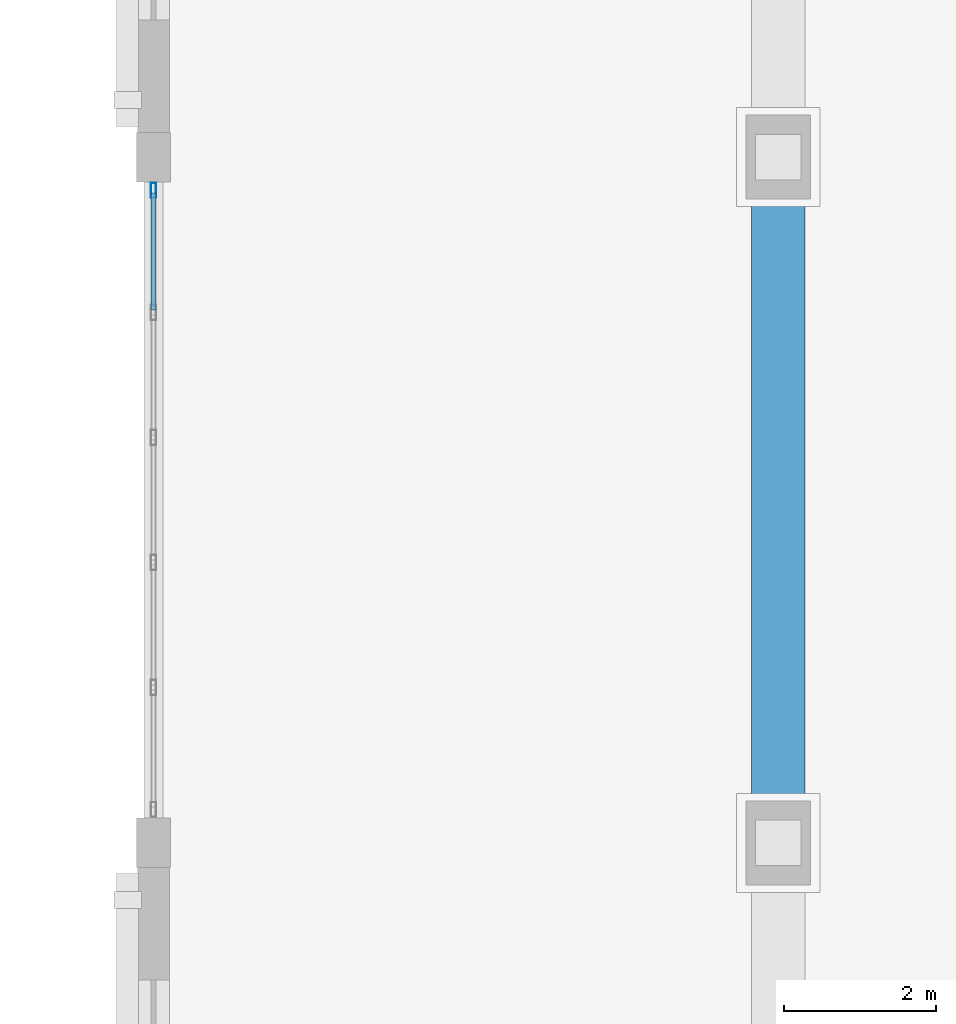
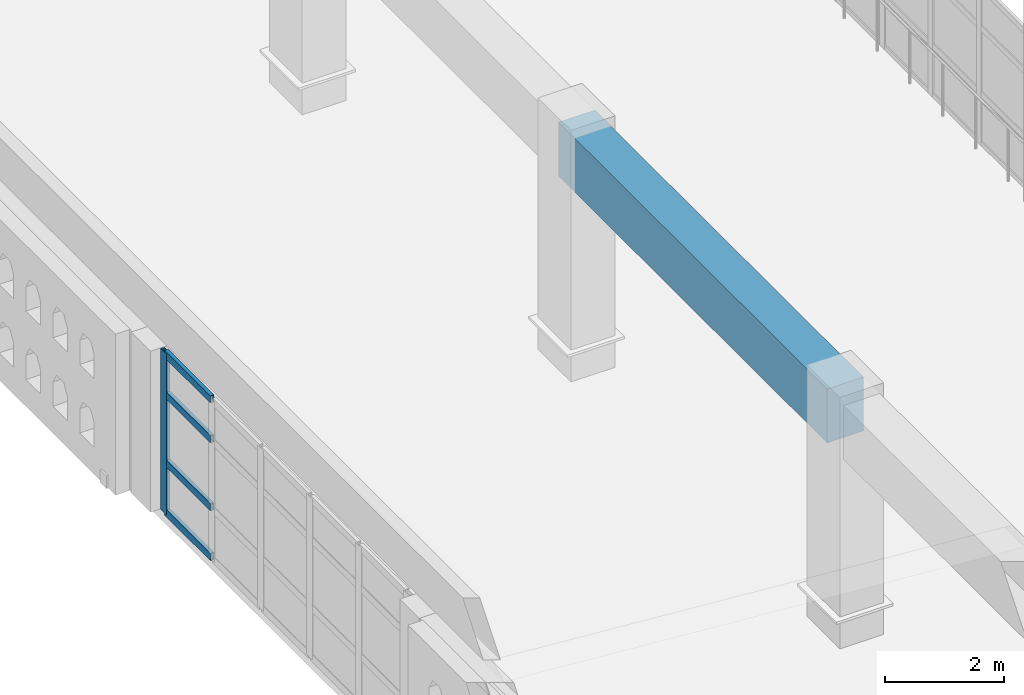
# One storey, part 4 of 80: 5 members, 1 beam, 1 element without a shape of its own.
"""IFC4 building model written with IfcOpenShell, lengths in metres."""

from ifc_helpers import new_model, si_unit, direction, frame, origin, origin_2d, place, context, subcontext, project, spatial, rectangle, hollow_rectangle, extrude, material, layer, layer_set, material_profile, profile_set, type_object, element, aggregate, save


model = new_model("IFC4")

# Units and contexts
model_context = context("Model", 3, precision=1e-05, world=origin(), true_north=direction((0.0, 1.0)))
body_context = subcontext(model_context, "Body", "Model", "MODEL_VIEW")
ifc_project = project(units=[si_unit("LENGTHUNIT", "METRE"), si_unit("AREAUNIT", "SQUARE_METRE"), si_unit("VOLUMEUNIT", "CUBIC_METRE"), si_unit("PLANEANGLEUNIT", "RADIAN"), si_unit("MASSUNIT", "GRAM", prefix="KILO")], contexts=[model_context])

# Site, building, storey
site_placement = place(None, origin())
site = spatial("IfcSite", under=ifc_project, at=site_placement, CompositionType="ELEMENT")
building_placement = place(site_placement, origin())
building = spatial("IfcBuilding", under=site, at=building_placement, Name="Ornek Quay Market", CompositionType="ELEMENT")
storey_placement = place(building_placement, frame((0.0, 0.0, 8.39990234375)))
storey = spatial("IfcBuildingStorey", under=building, at=storey_placement, Name="L02", CompositionType="ELEMENT", Elevation=8.39990234375)

# Beam
ifc_material_1 = material(Name="Concrete C45/55", Category="concrete")
ifc_material_profile_1 = material_profile(ifc_material_1, rectangle(XDim=0.699951171875, YDim=1.10009765625, at=origin_2d()), Name="RC 700x1100", Category="concrete")
ifc_profile_set_1 = profile_set([ifc_material_profile_1], Name="Concrete C45/55")
beam_type = type_object("IfcBeamType", Name="BM-ARCH-TIE-700x1100", PredefinedType="BEAM", material=ifc_profile_set_1)
beam_placement = place(storey_placement, frame((63.0, 38.0, 4.400146484375), z_axis=(0.0, 1.0, 0.0), x_axis=(-1.0, 0.0, 0.0)))
element("IfcBeam", 1, at=beam_placement, inside=storey, type_object=beam_type, Name="Arch springing edge tie beam E-W", PredefinedType="BEAM", context=body_context, shape_type="SweptSolid", body=[
    extrude(rectangle(XDim=0.699951171875, YDim=1.10009765625, at=origin_2d()), origin(), (0.0, 0.0, 1.0), 9.0),
])

# Curtain wall, members
ifc_material_2 = material(Name="Anodised bronze aluminium and triple low-e glass", Category="aluminium")
ifc_layer = layer(ifc_material_2, 0.239990234375, Name="Anodised bronze aluminium and triple low-e glass", Category="aluminium")
ifc_layer_set = layer_set([ifc_layer], Name="Anodised bronze aluminium and triple low-e glass")
curtain_wall_type = type_object("IfcCurtainWallType", Name="CW-GAB-MOD1800", PredefinedType="USERDEFINED", material=ifc_layer_set)
curtain_wall_placement = place(storey_placement, origin())
curtain_wall = element("IfcCurtainWall", 2, at=curtain_wall_placement, inside=storey, type_object=curtain_wall_type, Name="Curtain wall CW-057", ObjectType="CURTAIN WALL", PredefinedType="USERDEFINED")
ifc_material_3 = material(Name="Anodised aluminium 6063-T6", Category="aluminium")
ifc_material_profile_2 = material_profile(ifc_material_3, hollow_rectangle(XDim=0.070068359375, YDim=0.199951171875, WallThickness=0.0048828125, at=origin_2d()), Name="CW-MUL-70x200", Category="aluminium")
ifc_profile_set_2 = profile_set([ifc_material_profile_2], Name="Anodised aluminium 6063-T6")
member_type_1 = type_object("IfcMemberType", Name="CW-MUL-70x200", PredefinedType="MULLION", material=ifc_profile_set_2)
member_1_placement = place(storey_placement, frame((54.800048828125, 46.56494140625, 0.0), z_axis=(0.0, 0.0, 1.0), x_axis=(-1.0, 0.0, 0.0)))
member_1 = element("IfcMember", 3, at=member_1_placement, type_object=member_type_1, Name="CW-057 mullion 6", PredefinedType="MULLION", context=body_context, shape_type="SweptSolid", body=[
    extrude(hollow_rectangle(XDim=0.070068359375, YDim=0.199951171875, WallThickness=0.0048828125, at=origin_2d()), origin(), (0.0, 0.0, 1.0), 3.2900390625),
])
ifc_material_profile_3 = material_profile(ifc_material_3, hollow_rectangle(XDim=0.070068359375, YDim=0.14990234375, WallThickness=0.0048828125, at=origin_2d()), Name="CW-TRN-70x150", Category="aluminium")
ifc_profile_set_3 = profile_set([ifc_material_profile_3], Name="Anodised aluminium 6063-T6")
member_type_2 = type_object("IfcMemberType", Name="CW-TRN-70x150", PredefinedType="USERDEFINED", material=ifc_profile_set_3)
member_2_placement = place(storey_placement, frame((54.800048828125, 44.9951171875, 0.03515625), z_axis=(0.0, 1.0, 0.0), x_axis=(-1.0, 0.0, 0.0)))
member_2 = element("IfcMember", 4, at=member_2_placement, type_object=member_type_2, Name="CW-057 transom 5.1", ObjectType="TRANSOM", PredefinedType="USERDEFINED", context=body_context, shape_type="SweptSolid", body=[
    extrude(hollow_rectangle(XDim=0.070068359375, YDim=0.14990234375, WallThickness=0.0048828125, at=origin_2d()), origin(), (0.0, 0.0, 1.0), 1.534912109375),
])
member_3_placement = place(storey_placement, frame((54.800048828125, 44.9951171875, 1.050048828125), z_axis=(0.0, 1.0, 0.0), x_axis=(-1.0, 0.0, 0.0)))
member_3 = element("IfcMember", 5, at=member_3_placement, type_object=member_type_2, Name="CW-057 transom 5.2", ObjectType="TRANSOM", PredefinedType="USERDEFINED", context=body_context, shape_type="SweptSolid", body=[
    extrude(hollow_rectangle(XDim=0.070068359375, YDim=0.14990234375, WallThickness=0.0048828125, at=origin_2d()), origin(), (0.0, 0.0, 1.0), 1.534912109375),
])
member_4_placement = place(storey_placement, frame((54.800048828125, 44.9951171875, 2.440185546875), z_axis=(0.0, 1.0, 0.0), x_axis=(-1.0, 0.0, 0.0)))
member_4 = element("IfcMember", 6, at=member_4_placement, type_object=member_type_2, Name="CW-057 transom 5.3", ObjectType="TRANSOM", PredefinedType="USERDEFINED", context=body_context, shape_type="SweptSolid", body=[
    extrude(hollow_rectangle(XDim=0.070068359375, YDim=0.14990234375, WallThickness=0.0048828125, at=origin_2d()), origin(), (0.0, 0.0, 1.0), 1.534912109375),
])
member_5_placement = place(storey_placement, frame((54.800048828125, 44.9951171875, 3.255126953125), z_axis=(0.0, 1.0, 0.0), x_axis=(-1.0, 0.0, 0.0)))
member_5 = element("IfcMember", 7, at=member_5_placement, type_object=member_type_2, Name="CW-057 transom 5.4", ObjectType="TRANSOM", PredefinedType="USERDEFINED", context=body_context, shape_type="SweptSolid", body=[
    extrude(hollow_rectangle(XDim=0.070068359375, YDim=0.14990234375, WallThickness=0.0048828125, at=origin_2d()), origin(), (0.0, 0.0, 1.0), 1.534912109375),
])
aggregate(curtain_wall, [member_1, member_2, member_3, member_4, member_5])

save(model, "model.ifc")
